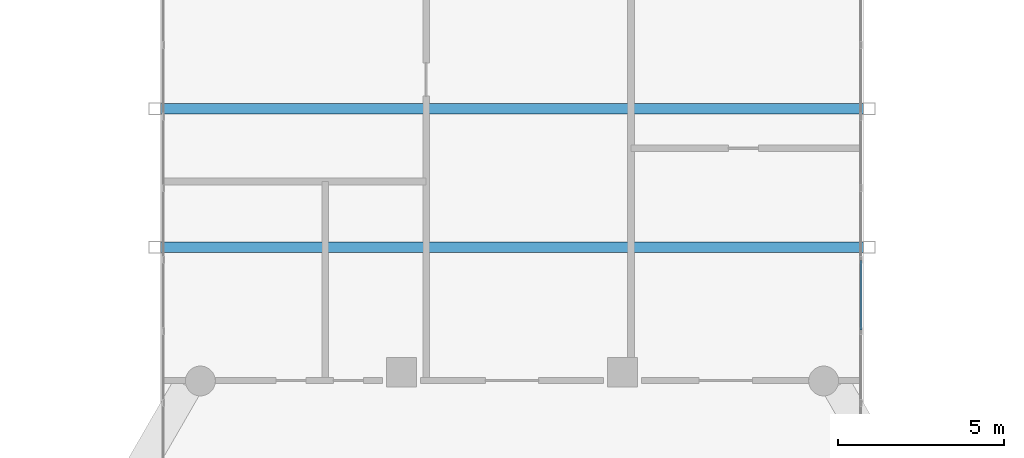
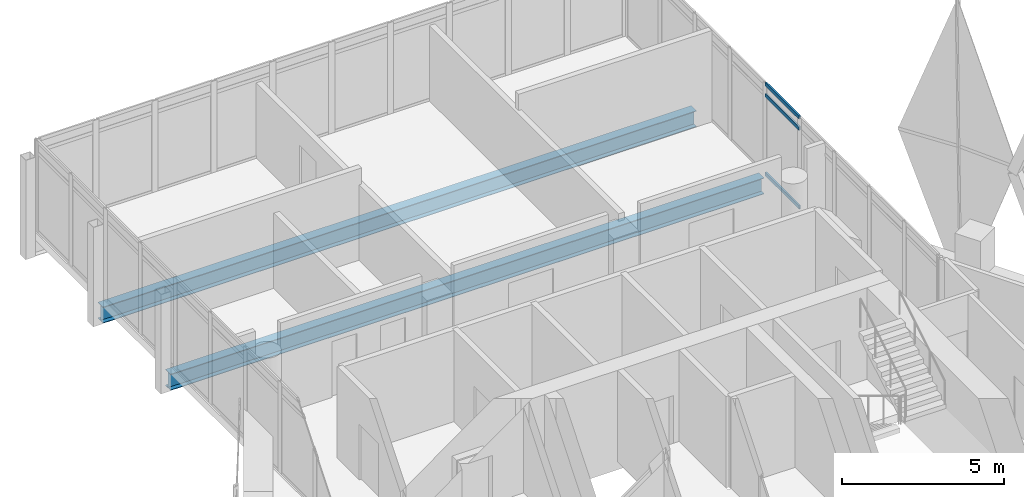
# One storey, part 20 of 37: 3 members, 2 beams, 1 element without a shape of its own.
"""IFC4 building model written with IfcOpenShell, lengths in metres."""

from ifc_helpers import new_model, si_unit, direction, frame, origin, origin_2d, place, context, subcontext, project, spatial, hollow_rectangle, i_section, extrude, material, material_profile, profile_set, type_object, element, aggregate, save


model = new_model("IFC4")

# Units and contexts
model_context = context("Model", 3, precision=1e-05, world=origin(), true_north=direction((0.0, 1.0)))
body_context = subcontext(model_context, "Body", "Model", "MODEL_VIEW")
ifc_project = project(units=[si_unit("LENGTHUNIT", "METRE"), si_unit("AREAUNIT", "SQUARE_METRE"), si_unit("VOLUMEUNIT", "CUBIC_METRE"), si_unit("PLANEANGLEUNIT", "RADIAN"), si_unit("MASSUNIT", "GRAM", prefix="KILO")], contexts=[model_context])

# Site, building, storey
site_placement = place(None, origin())
site = spatial("IfcSite", under=ifc_project, at=site_placement, CompositionType="ELEMENT")
building_placement = place(site_placement, origin())
building = spatial("IfcBuilding", under=site, at=building_placement, Name="Ostrander Bayou Hotel Tower", CompositionType="ELEMENT")
storey_placement = place(building_placement, frame((0.0, 0.0, 225.75)))
storey = spatial("IfcBuildingStorey", under=building, at=storey_placement, Name="L56", CompositionType="ELEMENT", Elevation=225.75)

# Curtain wall, members
ifc_material_1 = material(Name="Aluminium and clear glass", Category="aluminium")
curtain_wall_type = type_object("IfcCurtainWallType", Name="CW-BAR glazed wall", PredefinedType="NOTDEFINED", material=ifc_material_1)
curtain_wall_placement = place(storey_placement, origin())
curtain_wall = element("IfcCurtainWall", 1, at=curtain_wall_placement, inside=storey, type_object=curtain_wall_type, Name="CW-BAR L56:SB5N:W", PredefinedType="NOTDEFINED")
ifc_material_2 = material(Name="Aluminium", Category="aluminium")
ifc_material_profile_1 = material_profile(ifc_material_2, hollow_rectangle(XDim=0.06005859375, YDim=0.1298828125, WallThickness=0.00390625, at=origin_2d()))
ifc_profile_set_1 = profile_set([ifc_material_profile_1], Name="Aluminium")
member_type = type_object("IfcMemberType", Name="CW-BR transom 60 x 130 mm", PredefinedType="USERDEFINED", material=ifc_profile_set_1)
member_1_placement = place(storey_placement, frame((10.51220703125, 18.117919921875, 0.030029296875), z_axis=(0.0, 1.0, 0.0), x_axis=(-1.0, 0.0, 0.0)))
member_1 = element("IfcMember", 2, at=member_1_placement, type_object=member_type, Name="CW-BAR transom 5.1", ObjectType="TRANSOM", PredefinedType="USERDEFINED", context=body_context, shape_type="SweptSolid", body=[
    extrude(hollow_rectangle(XDim=0.06005859375, YDim=0.1298828125, WallThickness=0.00390625, at=origin_2d()), origin(), (0.0, 0.0, 1.0), 2.095703125),
])
member_2_placement = place(storey_placement, frame((10.51220703125, 18.117919921875, 3.0), z_axis=(0.0, 1.0, 0.0), x_axis=(-1.0, 0.0, 0.0)))
member_2 = element("IfcMember", 3, at=member_2_placement, type_object=member_type, Name="CW-BAR transom 5.2", ObjectType="TRANSOM", PredefinedType="USERDEFINED", context=body_context, shape_type="SweptSolid", body=[
    extrude(hollow_rectangle(XDim=0.06005859375, YDim=0.1298828125, WallThickness=0.00390625, at=origin_2d()), origin(), (0.0, 0.0, 1.0), 2.095703125),
])
member_3_placement = place(storey_placement, frame((10.51220703125, 18.117919921875, 3.419921875), z_axis=(0.0, 1.0, 0.0), x_axis=(-1.0, 0.0, 0.0)))
member_3 = element("IfcMember", 4, at=member_3_placement, type_object=member_type, Name="CW-BAR transom 5.3", ObjectType="TRANSOM", PredefinedType="USERDEFINED", context=body_context, shape_type="SweptSolid", body=[
    extrude(hollow_rectangle(XDim=0.06005859375, YDim=0.1298828125, WallThickness=0.00390625, at=origin_2d()), origin(), (0.0, 0.0, 1.0), 2.095703125),
])
aggregate(curtain_wall, [member_1, member_2, member_3])

# Beams
ifc_material_3 = material(Name="Steel ASTM A992", Category="steel")
ifc_material_profile_2 = material_profile(ifc_material_3, i_section(OverallWidth=0.32373046875, OverallDepth=0.611083984375, WebThickness=0.0126953125, FlangeThickness=0.01904296875, at=origin_2d()))
ifc_profile_set_2 = profile_set([ifc_material_profile_2], Name="Steel ASTM A992")
beam_type = type_object("IfcBeamType", Name="TF2 bar floor beam W24x104", PredefinedType="BEAM", material=ifc_profile_set_2)
for number, where, z_axis, x_axis, name in (
    (5, (-10.587158203125, 24.790283203125, -0.605712890625), (1.0, 0.0, 0.0), (0.0, 1.0, 0.0), "TF2 SB5W L2-2"),
    (6, (-10.587158203125, 20.6142578125, -0.605712890625), (1.0, 0.0, 0.0), (0.0, 1.0, 0.0), "TF2 SB5W L2-3"),
):
    element("IfcBeam", number, at=place(storey_placement, frame(where, z_axis=z_axis, x_axis=x_axis)), inside=storey, type_object=beam_type, Name=name, PredefinedType="BEAM", context=body_context, shape_type="SweptSolid", body=[
        extrude(i_section(OverallWidth=0.32373046875, OverallDepth=0.611083984375, WebThickness=0.0126953125, FlangeThickness=0.01904296875, at=origin_2d()), origin(), (0.0, 0.0, 1.0), 21.17431640625),
    ])

save(model, "model.ifc")
